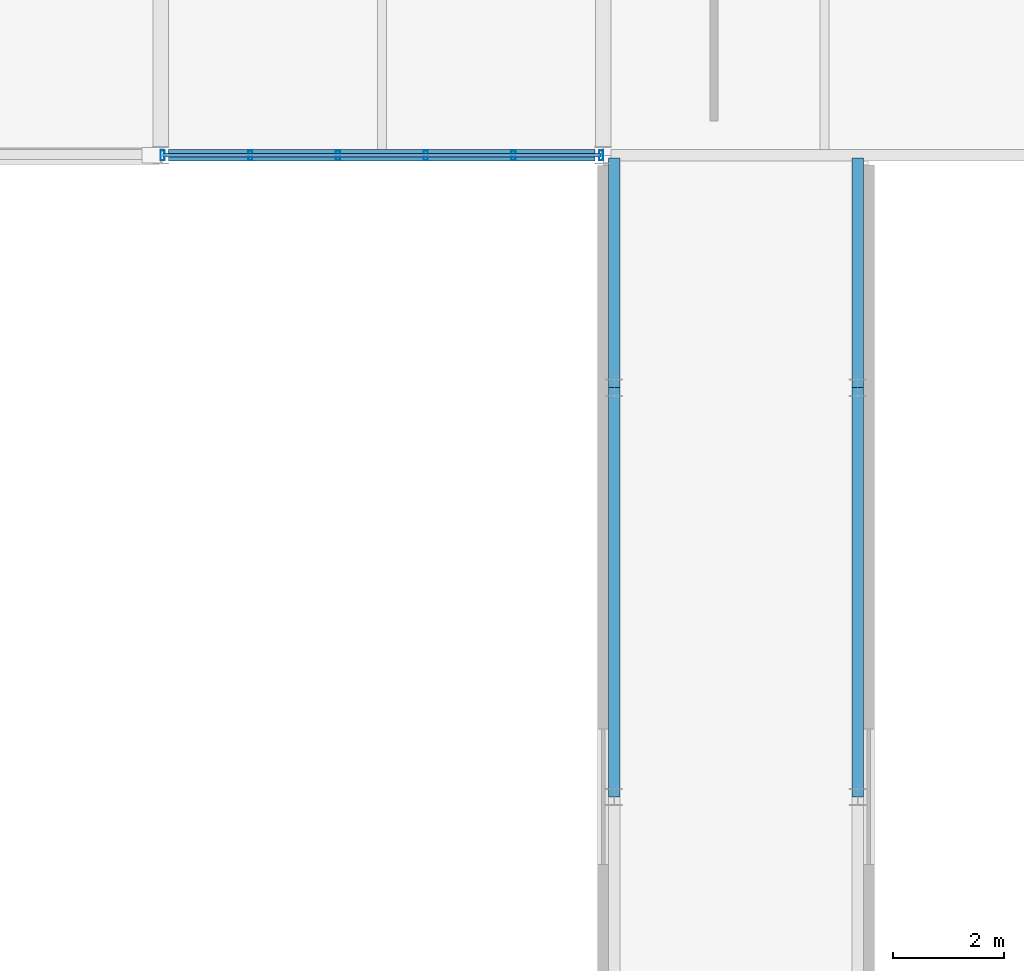
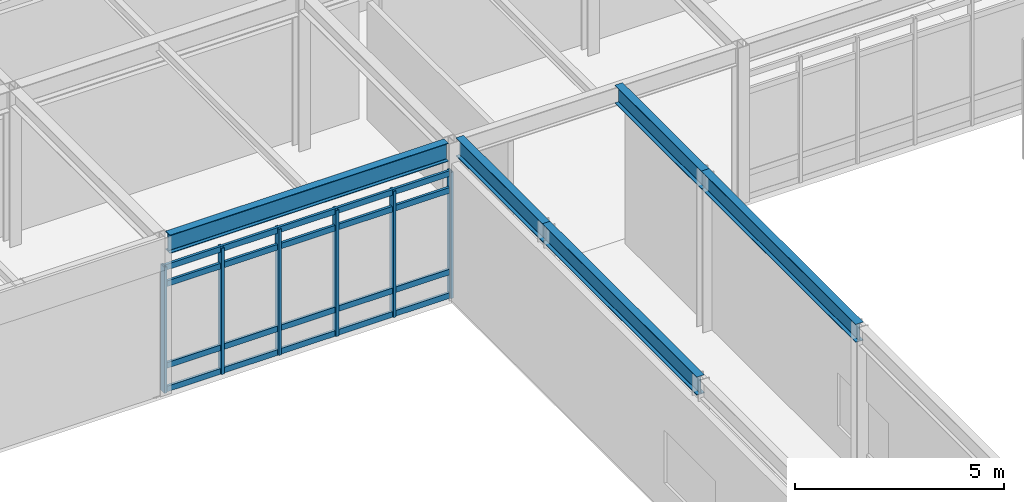
# One storey, part 31 of 104: 10 members, 5 beams, 1 element without a shape of its own.
"""IFC4 building model written with IfcOpenShell, lengths in metres."""

from ifc_helpers import new_model, si_unit, direction, frame, origin, origin_2d, place, context, subcontext, project, spatial, hollow_rectangle, i_section, extrude, material, material_profile, profile_set, type_object, element, aggregate, save


model = new_model("IFC4")

# Units and contexts
model_context = context("Model", 3, precision=1e-05, world=origin(), true_north=direction((0.0, 1.0)))
body_context = subcontext(model_context, "Body", "Model", "MODEL_VIEW")
ifc_project = project(units=[si_unit("LENGTHUNIT", "METRE"), si_unit("AREAUNIT", "SQUARE_METRE"), si_unit("VOLUMEUNIT", "CUBIC_METRE"), si_unit("PLANEANGLEUNIT", "RADIAN"), si_unit("MASSUNIT", "GRAM", prefix="KILO")], contexts=[model_context])

# Site, building, storey
site_placement = place(None, origin())
site = spatial("IfcSite", under=ifc_project, at=site_placement, CompositionType="ELEMENT")
building_placement = place(site_placement, origin())
building = spatial("IfcBuilding", under=site, at=building_placement, Name="Zulena Civic Courthouse", CompositionType="ELEMENT")
storey_placement = place(building_placement, frame((0.0, 0.0, 15.60009765625)))
storey = spatial("IfcBuildingStorey", under=building, at=storey_placement, Name="L03", CompositionType="ELEMENT", Elevation=15.60009765625)

# Beams
ifc_material_1 = material(Name="Steel ASTM A992 Grade 50", Category="steel")
ifc_material_profile_1 = material_profile(ifc_material_1, i_section(OverallWidth=0.2099609375, OverallDepth=0.537109375, WebThickness=0.010986328125, FlangeThickness=0.017333984375, FilletRadius=0.0126953125, at=origin_2d()), Name="W21X68")
ifc_profile_set_1 = profile_set([ifc_material_profile_1], Name="Steel ASTM A992 Grade 50")
beam_type_1 = type_object("IfcBeamType", Name="BridgeGirder_W21X68", PredefinedType="BEAM", material=ifc_profile_set_1)
beam_1_placement = place(storey_placement, frame((52.199951171875, 34.39990234375, 4.361328125), z_axis=(0.0, 1.0, 0.0), x_axis=(-1.0, 0.0, 0.0)))
element("IfcBeam", 1, at=beam_1_placement, inside=storey, type_object=beam_type_1, Name="beam:bridgeroof:BR-52C:52.20:2", PredefinedType="BEAM", context=body_context, shape_type="SweptSolid", body=[
    extrude(i_section(OverallWidth=0.2099609375, OverallDepth=0.537109375, WebThickness=0.010986328125, FlangeThickness=0.017333984375, FilletRadius=0.0126953125, at=origin_2d()), origin(), (0.0, 0.0, 1.0), 7.400146484375),
])
beam_2_placement = place(storey_placement, frame((52.199951171875, 41.800048828125, 4.361328125), z_axis=(0.0, 1.0, 0.0), x_axis=(-1.0, 0.0, 0.0)))
element("IfcBeam", 2, at=beam_2_placement, inside=storey, type_object=beam_type_1, Name="beam:bridgeroof:BR-52C:52.20:3", PredefinedType="BEAM", context=body_context, shape_type="SweptSolid", body=[
    extrude(i_section(OverallWidth=0.2099609375, OverallDepth=0.537109375, WebThickness=0.010986328125, FlangeThickness=0.017333984375, FilletRadius=0.0126953125, at=origin_2d()), origin(), (0.0, 0.0, 1.0), 4.14990234375),
])
beam_3_placement = place(storey_placement, frame((56.60009765625, 34.39990234375, 4.361328125), z_axis=(0.0, 1.0, 0.0), x_axis=(-1.0, 0.0, 0.0)))
element("IfcBeam", 3, at=beam_3_placement, inside=storey, type_object=beam_type_1, Name="beam:bridgeroof:BR-52C:56.60:2", PredefinedType="BEAM", context=body_context, shape_type="SweptSolid", body=[
    extrude(i_section(OverallWidth=0.2099609375, OverallDepth=0.537109375, WebThickness=0.010986328125, FlangeThickness=0.017333984375, FilletRadius=0.0126953125, at=origin_2d()), origin(), (0.0, 0.0, 1.0), 7.400146484375),
])
beam_4_placement = place(storey_placement, frame((56.60009765625, 41.800048828125, 4.361328125), z_axis=(0.0, 1.0, 0.0), x_axis=(-1.0, 0.0, 0.0)))
element("IfcBeam", 4, at=beam_4_placement, inside=storey, type_object=beam_type_1, Name="beam:bridgeroof:BR-52C:56.60:3", PredefinedType="BEAM", context=body_context, shape_type="SweptSolid", body=[
    extrude(i_section(OverallWidth=0.2099609375, OverallDepth=0.537109375, WebThickness=0.010986328125, FlangeThickness=0.017333984375, FilletRadius=0.0126953125, at=origin_2d()), origin(), (0.0, 0.0, 1.0), 4.14990234375),
])

# Curtain wall, members
ifc_material_2 = material(Name="Double-silver low-E laminated solar-control glass", Category="glass")
curtain_wall_type = type_object("IfcCurtainWallType", Name="CW_7928x3690", PredefinedType="USERDEFINED", material=ifc_material_2)
curtain_wall_placement = place(storey_placement, origin())
curtain_wall = element("IfcCurtainWall", 5, at=curtain_wall_placement, inside=storey, type_object=curtain_wall_type, Name="cw:V5:L03:5:7", ObjectType="UNITISED CURTAIN WALL", PredefinedType="USERDEFINED")
ifc_material_3 = material(Name="Bronze anodised thermally broken aluminium AA6063-T6", Category="aluminium")
ifc_material_profile_2 = material_profile(ifc_material_3, hollow_rectangle(XDim=0.074951171875, YDim=0.179931640625, WallThickness=0.0048828125, at=origin_2d()), Name="CWM180X75X5")
ifc_profile_set_2 = profile_set([ifc_material_profile_2], Name="Bronze anodised thermally broken aluminium AA6063-T6")
member_type_1 = type_object("IfcMemberType", Name="CWMullion_180x75", PredefinedType="MULLION", material=ifc_profile_set_2)
member_1_placement = place(storey_placement, frame((51.964111328125, 46.0, 0.0), z_axis=(0.0, 0.0, 1.0), x_axis=(1.0, 0.0, 0.0)))
member_1 = element("IfcMember", 6, at=member_1_placement, type_object=member_type_1, Name="cw:V5:L03:5:7:mull:0", PredefinedType="MULLION", context=body_context, shape_type="SweptSolid", body=[
    extrude(hollow_rectangle(XDim=0.074951171875, YDim=0.179931640625, WallThickness=0.0048828125, at=origin_2d()), origin(), (0.0, 0.0, 1.0), 3.68994140625),
])
member_2_placement = place(storey_placement, frame((50.37841796875, 46.0, 0.0), z_axis=(0.0, 0.0, 1.0), x_axis=(1.0, 0.0, 0.0)))
member_2 = element("IfcMember", 7, at=member_2_placement, type_object=member_type_1, Name="cw:V5:L03:5:7:mull:1", PredefinedType="MULLION", context=body_context, shape_type="SweptSolid", body=[
    extrude(hollow_rectangle(XDim=0.074951171875, YDim=0.179931640625, WallThickness=0.0048828125, at=origin_2d()), origin(), (0.0, 0.0, 1.0), 3.68994140625),
])
member_3_placement = place(storey_placement, frame((48.792724609375, 46.0, 0.0), z_axis=(0.0, 0.0, 1.0), x_axis=(1.0, 0.0, 0.0)))
member_3 = element("IfcMember", 8, at=member_3_placement, type_object=member_type_1, Name="cw:V5:L03:5:7:mull:2", PredefinedType="MULLION", context=body_context, shape_type="SweptSolid", body=[
    extrude(hollow_rectangle(XDim=0.074951171875, YDim=0.179931640625, WallThickness=0.0048828125, at=origin_2d()), origin(), (0.0, 0.0, 1.0), 3.68994140625),
])
member_4_placement = place(storey_placement, frame((47.207275390625, 46.0, 0.0), z_axis=(0.0, 0.0, 1.0), x_axis=(1.0, 0.0, 0.0)))
member_4 = element("IfcMember", 9, at=member_4_placement, type_object=member_type_1, Name="cw:V5:L03:5:7:mull:3", PredefinedType="MULLION", context=body_context, shape_type="SweptSolid", body=[
    extrude(hollow_rectangle(XDim=0.074951171875, YDim=0.179931640625, WallThickness=0.0048828125, at=origin_2d()), origin(), (0.0, 0.0, 1.0), 3.68994140625),
])
member_5_placement = place(storey_placement, frame((45.62158203125, 46.0, 0.0), z_axis=(0.0, 0.0, 1.0), x_axis=(1.0, 0.0, 0.0)))
member_5 = element("IfcMember", 10, at=member_5_placement, type_object=member_type_1, Name="cw:V5:L03:5:7:mull:4", PredefinedType="MULLION", context=body_context, shape_type="SweptSolid", body=[
    extrude(hollow_rectangle(XDim=0.074951171875, YDim=0.179931640625, WallThickness=0.0048828125, at=origin_2d()), origin(), (0.0, 0.0, 1.0), 3.68994140625),
])
member_6_placement = place(storey_placement, frame((44.035888671875, 46.0, 0.0), z_axis=(0.0, 0.0, 1.0), x_axis=(1.0, 0.0, 0.0)))
member_6 = element("IfcMember", 11, at=member_6_placement, type_object=member_type_1, Name="cw:V5:L03:5:7:mull:5", PredefinedType="MULLION", context=body_context, shape_type="SweptSolid", body=[
    extrude(hollow_rectangle(XDim=0.074951171875, YDim=0.179931640625, WallThickness=0.0048828125, at=origin_2d()), origin(), (0.0, 0.0, 1.0), 3.68994140625),
])
ifc_material_profile_3 = material_profile(ifc_material_3, hollow_rectangle(XDim=0.070068359375, YDim=0.1650390625, WallThickness=0.00390625, at=origin_2d()), Name="CWT165X70X4")
ifc_profile_set_3 = profile_set([ifc_material_profile_3], Name="Bronze anodised thermally broken aluminium AA6063-T6")
member_type_2 = type_object("IfcMemberType", Name="CWTransom_165x70", PredefinedType="USERDEFINED", material=ifc_profile_set_3)
member_7_placement = place(storey_placement, frame((51.964111328125, 46.0, 0.059814453125), z_axis=(-1.0, 0.0, 0.0), x_axis=(0.0, -1.0, 0.0)))
member_7 = element("IfcMember", 12, at=member_7_placement, type_object=member_type_2, Name="cw:V5:L03:5:7:tran:0", ObjectType="TRANSOM", PredefinedType="USERDEFINED", context=body_context, shape_type="SweptSolid", body=[
    extrude(hollow_rectangle(XDim=0.070068359375, YDim=0.1650390625, WallThickness=0.00390625, at=origin_2d()), origin(), (0.0, 0.0, 1.0), 7.92822265625),
])
member_8_placement = place(storey_placement, frame((51.964111328125, 46.0, 0.75), z_axis=(-1.0, 0.0, 0.0), x_axis=(0.0, -1.0, 0.0)))
member_8 = element("IfcMember", 13, at=member_8_placement, type_object=member_type_2, Name="cw:V5:L03:5:7:tran:1", ObjectType="TRANSOM", PredefinedType="USERDEFINED", context=body_context, shape_type="SweptSolid", body=[
    extrude(hollow_rectangle(XDim=0.070068359375, YDim=0.1650390625, WallThickness=0.00390625, at=origin_2d()), origin(), (0.0, 0.0, 1.0), 7.92822265625),
])
member_9_placement = place(storey_placement, frame((51.964111328125, 46.0, 3.139892578125), z_axis=(-1.0, 0.0, 0.0), x_axis=(0.0, -1.0, 0.0)))
member_9 = element("IfcMember", 14, at=member_9_placement, type_object=member_type_2, Name="cw:V5:L03:5:7:tran:2", ObjectType="TRANSOM", PredefinedType="USERDEFINED", context=body_context, shape_type="SweptSolid", body=[
    extrude(hollow_rectangle(XDim=0.070068359375, YDim=0.1650390625, WallThickness=0.00390625, at=origin_2d()), origin(), (0.0, 0.0, 1.0), 7.92822265625),
])
member_10_placement = place(storey_placement, frame((51.964111328125, 46.0, 3.6298828125), z_axis=(-1.0, 0.0, 0.0), x_axis=(0.0, -1.0, 0.0)))
member_10 = element("IfcMember", 15, at=member_10_placement, type_object=member_type_2, Name="cw:V5:L03:5:7:tran:3", ObjectType="TRANSOM", PredefinedType="USERDEFINED", context=body_context, shape_type="SweptSolid", body=[
    extrude(hollow_rectangle(XDim=0.070068359375, YDim=0.1650390625, WallThickness=0.00390625, at=origin_2d()), origin(), (0.0, 0.0, 1.0), 7.92822265625),
])
aggregate(curtain_wall, [member_1, member_2, member_3, member_4, member_5, member_6, member_7, member_8, member_9, member_10])

# Beam
ifc_material_profile_4 = material_profile(ifc_material_1, i_section(OverallWidth=0.2099609375, OverallDepth=0.537109375, WebThickness=0.010986328125, FlangeThickness=0.017333984375, FilletRadius=0.0126953125, at=origin_2d()), Name="W21X68")
ifc_profile_set_4 = profile_set([ifc_material_profile_4], Name="Steel ASTM A992 Grade 50")
beam_type_2 = type_object("IfcBeamType", Name="Spandrel_W21X68", PredefinedType="SPANDREL", material=ifc_profile_set_4)
beam_5_placement = place(storey_placement, frame((44.14501953125, 46.0, 4.3212890625), z_axis=(1.0, 0.0, 0.0), x_axis=(0.0, 1.0, 0.0)))
element("IfcBeam", 16, at=beam_5_placement, inside=storey, type_object=beam_type_2, Name="beam:X:V5:L03:46.0:44.0_52.0", PredefinedType="SPANDREL", context=body_context, shape_type="SweptSolid", body=[
    extrude(i_section(OverallWidth=0.2099609375, OverallDepth=0.537109375, WebThickness=0.010986328125, FlangeThickness=0.017333984375, FilletRadius=0.0126953125, at=origin_2d()), origin(), (0.0, 0.0, 1.0), 7.7099609375),
])

save(model, "model.ifc")
